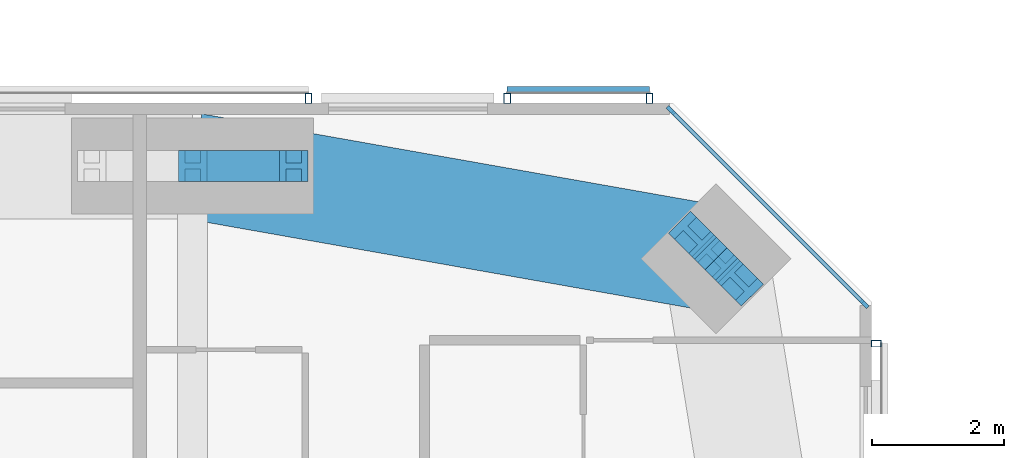
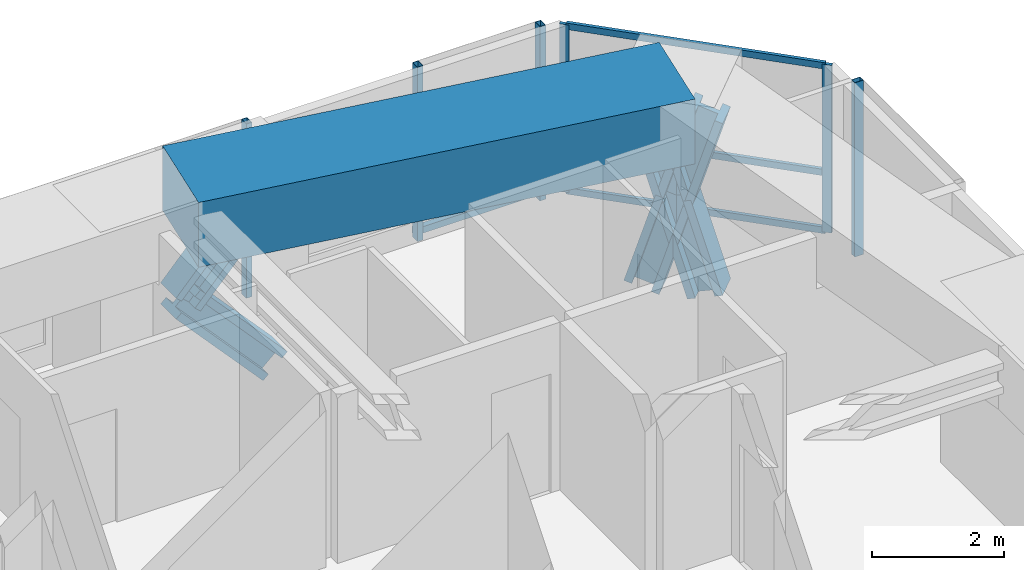
# One storey, part 14 of 23: 16 members, 1 beam, 4 elements without a shape of their own.
"""IFC4 building model written with IfcOpenShell, lengths in metres."""

from ifc_helpers import new_model, si_unit, direction, frame, origin, origin_2d, place, context, subcontext, project, spatial, rectangle, hollow_rectangle, i_section, extrude, material, material_profile, profile_set, type_object, element, aggregate, save


model = new_model("IFC4")

# Units and contexts
model_context = context("Model", 3, precision=1e-05, world=origin(), true_north=direction((0.0, 1.0)))
body_context = subcontext(model_context, "Body", "Model", "MODEL_VIEW")
ifc_project = project(units=[si_unit("LENGTHUNIT", "METRE"), si_unit("AREAUNIT", "SQUARE_METRE"), si_unit("VOLUMEUNIT", "CUBIC_METRE"), si_unit("PLANEANGLEUNIT", "RADIAN"), si_unit("MASSUNIT", "GRAM", prefix="KILO")], contexts=[model_context])

# Site, building, storey
site_placement = place(None, origin())
site = spatial("IfcSite", under=ifc_project, at=site_placement, CompositionType="ELEMENT")
building_placement = place(site_placement, origin())
building = spatial("IfcBuilding", under=site, at=building_placement, Name="Jalousie Tower", CompositionType="ELEMENT")
storey_placement = place(building_placement, frame((0.0, 0.0, 184.5)))
storey = spatial("IfcBuildingStorey", under=building, at=storey_placement, Name="L50", CompositionType="ELEMENT", Elevation=184.5)

# Curtain wall, members
ifc_material_1 = material(Name="Aluminium curtain wall", Category="aluminium")
curtain_wall_type_1 = type_object("IfcCurtainWallType", Name="CORNER WINDOW WALL", PredefinedType="USERDEFINED", material=ifc_material_1)
curtain_wall_1_placement = place(storey_placement, origin())
curtain_wall_1 = element("IfcCurtainWall", 1, at=curtain_wall_1_placement, inside=storey, type_object=curtain_wall_type_1, Name="Corner Window Wall L50 4", ObjectType="CORNER WINDOW WALL", PredefinedType="USERDEFINED")
ifc_material_2 = material(Name="Aluminium mullion", Category="aluminium")
ifc_material_profile_1 = material_profile(ifc_material_2, rectangle(XDim=0.06005859375, YDim=0.14990234375, at=origin_2d()), Name="MULLION 60x150")
ifc_profile_set_1 = profile_set([ifc_material_profile_1], Name="Aluminium mullion")
member_type_1 = type_object("IfcMemberType", Name="CORNER WINDOW WALL MULLION", PredefinedType="MULLION", material=ifc_profile_set_1)
member_1_placement = place(storey_placement, frame((52.891357421875, 32.969970703125, 0.0), z_axis=(0.0, 0.0, 1.0), x_axis=(-0.707106781187, -0.707106781187, 0.0)))
member_1 = element("IfcMember", 2, at=member_1_placement, type_object=member_type_1, Name="CW-C mullion 1", PredefinedType="MULLION", context=body_context, shape_type="SweptSolid", body=[
    extrude(rectangle(XDim=0.06005859375, YDim=0.14990234375, at=origin_2d()), origin(), (0.0, 0.0, 1.0), 3.110107421875),
])
member_2_placement = place(storey_placement, frame((49.969970703125, 35.891357421875, 0.0), z_axis=(0.0, 0.0, 1.0), x_axis=(-0.707106781187, -0.707106781187, 0.0)))
member_2 = element("IfcMember", 3, at=member_2_placement, type_object=member_type_1, Name="CW-C mullion 2", PredefinedType="MULLION", context=body_context, shape_type="SweptSolid", body=[
    extrude(rectangle(XDim=0.06005859375, YDim=0.14990234375, at=origin_2d()), origin(), (0.0, 0.0, 1.0), 3.110107421875),
])
ifc_material_3 = material(Name="Aluminium transom", Category="aluminium")
ifc_material_profile_2 = material_profile(ifc_material_3, rectangle(XDim=0.06005859375, YDim=0.1201171875, at=origin_2d()), Name="TRANSOM 60x120")
ifc_profile_set_2 = profile_set([ifc_material_profile_2], Name="Aluminium transom")
member_type_2 = type_object("IfcMemberType", Name="CORNER WINDOW WALL TRANSOM", PredefinedType="USERDEFINED", material=ifc_profile_set_2)
member_3_placement = place(storey_placement, frame((52.8701171875, 32.9912109375, 0.030029296875), z_axis=(-0.707106781187, 0.707106781187, 0.0), x_axis=(-0.707106781187, -0.707106781187, 0.0)))
member_3 = element("IfcMember", 4, at=member_3_placement, type_object=member_type_2, Name="CW-C transom 1.1", ObjectType="TRANSOM", PredefinedType="USERDEFINED", context=body_context, shape_type="SweptSolid", body=[
    extrude(rectangle(XDim=0.06005859375, YDim=0.1201171875, at=origin_2d()), origin(), (0.0, 0.0, 1.0), 4.0712890625),
])
member_4_placement = place(storey_placement, frame((52.8701171875, 32.9912109375, 1.10009765625), z_axis=(-0.707106781187, 0.707106781187, 0.0), x_axis=(-0.707106781187, -0.707106781187, 0.0)))
member_4 = element("IfcMember", 5, at=member_4_placement, type_object=member_type_2, Name="CW-C transom 1.2", ObjectType="TRANSOM", PredefinedType="USERDEFINED", context=body_context, shape_type="SweptSolid", body=[
    extrude(rectangle(XDim=0.06005859375, YDim=0.1201171875, at=origin_2d()), origin(), (0.0, 0.0, 1.0), 4.0712890625),
])
member_5_placement = place(storey_placement, frame((52.8701171875, 32.9912109375, 3.080078125), z_axis=(-0.707106781187, 0.707106781187, 0.0), x_axis=(-0.707106781187, -0.707106781187, 0.0)))
member_5 = element("IfcMember", 6, at=member_5_placement, type_object=member_type_2, Name="CW-C transom 1.3", ObjectType="TRANSOM", PredefinedType="USERDEFINED", context=body_context, shape_type="SweptSolid", body=[
    extrude(rectangle(XDim=0.06005859375, YDim=0.1201171875, at=origin_2d()), origin(), (0.0, 0.0, 1.0), 4.0712890625),
])
aggregate(curtain_wall_1, [member_1, member_2, member_3, member_4, member_5])

# Members
ifc_material_4 = material(Name="Steel ASTM A992 Grade 50", Category="steel")
ifc_material_profile_3 = material_profile(ifc_material_4, i_section(OverallWidth=0.472412109375, OverallDepth=0.5791015625, WebThickness=0.094970703125, FlangeThickness=0.1298828125, at=origin_2d()), Name="W14X808")
ifc_profile_set_3 = profile_set([ifc_material_profile_3], Name="Steel ASTM A992 Grade 50")
member_type_3 = type_object("IfcMemberType", Name="PERIMETER BRACE W14X808", PredefinedType="BRACE", material=ifc_profile_set_3)
for number, where, z_axis, x_axis, name in (
    (7, (51.0048828125, 33.2978515625, -0.60009765625), (-0.202092742837, 0.202372069365, 0.958229653493), (-0.707594945859, -0.706618279267, 0.0), "Perimeter brace 08 L50 part 1"),
    (8, (50.651611328125, 33.651611328125, 1.074951171875), (-0.202372069365, 0.202092742837, 0.958229653493), (-0.706618279267, -0.707594945859, 0.0), "Perimeter brace 08 L50 part 2"),
    (9, (50.2978515625, 34.0048828125, -0.60009765625), (0.202372069365, -0.202092742837, 0.958229653493), (0.706618279267, 0.707594945859, 0.0), "Perimeter brace 08 L50 part 3"),
    (10, (50.651611328125, 33.651611328125, 1.074951171875), (0.202092742837, -0.202372069365, 0.958229653493), (0.707594945859, 0.706618279267, 0.0), "Perimeter brace 08 L50 part 4"),
):
    element("IfcMember", number, at=place(storey_placement, frame(where, z_axis=z_axis, x_axis=x_axis)), inside=storey, type_object=member_type_3, Name=name, PredefinedType="BRACE", context=body_context, shape_type="SweptSolid", body=[
        extrude(i_section(OverallWidth=0.472412109375, OverallDepth=0.5791015625, WebThickness=0.094970703125, FlangeThickness=0.1298828125, at=origin_2d()), origin(), (0.0, 0.0, 1.0), 1.748046875),
    ])
for number, where, z_axis, x_axis, name in (
    (11, (42.75, 35.050048828125, 1.074951171875), (0.673187629365, 0.0, 0.739471713908), (0.0, 1.0, 0.0), "Perimeter brace 09 L50 part 2"),
    (12, (44.27490234375, 35.050048828125, -0.60009765625), (-0.673187629365, 0.0, 0.739471713908), (0.0, -1.0, 0.0), "Perimeter brace 09 L50 part 3"),
):
    element("IfcMember", number, at=place(storey_placement, frame(where, z_axis=z_axis, x_axis=x_axis)), inside=storey, type_object=member_type_3, Name=name, PredefinedType="BRACE", context=body_context, shape_type="SweptSolid", body=[
        extrude(i_section(OverallWidth=0.472412109375, OverallDepth=0.5791015625, WebThickness=0.094970703125, FlangeThickness=0.1298828125, at=origin_2d()), origin(), (0.0, 0.0, 1.0), 2.26513671875),
    ])

# Beam
ifc_material_5 = material(Name="Concrete f'c 40 MPa", Category="concrete")
ifc_material_profile_4 = material_profile(ifc_material_5, rectangle(XDim=1.60009765625, YDim=1.199951171875, at=origin_2d()), Name="RC 1600x1200")
ifc_profile_set_4 = profile_set([ifc_material_profile_4], Name="Concrete f'c 40 MPa")
beam_type = type_object("IfcBeamType", Name="RC BEAM 1600x1200", PredefinedType="BEAM", material=ifc_profile_set_4)
beam_placement = place(storey_placement, frame((50.651611328125, 33.651611328125, 2.75), z_axis=(-0.984697370688, 0.174273027632, 0.0), x_axis=(-0.174273027632, -0.984697370688, 0.0)))
element("IfcBeam", 13, at=beam_placement, inside=storey, type_object=beam_type, Name="Edge band beam 08-09 under L51", PredefinedType="BEAM", context=body_context, shape_type="SweptSolid", body=[
    extrude(rectangle(XDim=1.60009765625, YDim=1.199951171875, at=origin_2d()), origin(), (0.0, 0.0, 1.0), 8.0244140625),
])

# Curtain wall, member
ifc_material_6 = material(Name="Perforated aluminium sheet", Category="aluminium")
curtain_wall_type_2 = type_object("IfcCurtainWallType", Name="SOLAR SCREEN SS-1", PredefinedType="USERDEFINED", material=ifc_material_6)
curtain_wall_2_placement = place(storey_placement, origin())
curtain_wall_2 = element("IfcCurtainWall", 14, at=curtain_wall_2_placement, inside=storey, type_object=curtain_wall_type_2, Name="Solar screen L50", ObjectType="SOLAR SCREEN SS-1", PredefinedType="USERDEFINED")
ifc_material_7 = material(Name="Steel ASTM A500 Grade C", Category="steel")
ifc_material_profile_5 = material_profile(ifc_material_7, hollow_rectangle(XDim=0.1015625, YDim=0.15234375, WallThickness=0.00634765625, at=origin_2d()), Name="HSS6X4X1/4")
ifc_profile_set_5 = profile_set([ifc_material_profile_5], Name="Steel ASTM A500 Grade C")
member_type_4 = type_object("IfcMemberType", Name="SOLAR SCREEN SS-1 MULLION", PredefinedType="MULLION", material=ifc_profile_set_5)
member_6_placement = place(storey_placement, frame((53.0712890625, 32.3701171875, -0.1201171875), z_axis=(0.0, 0.0, 1.0), x_axis=(0.0, 1.0, 0.0)))
member_6 = element("IfcMember", 15, at=member_6_placement, type_object=member_type_4, Name="SS1 post 2", PredefinedType="MULLION", context=body_context, shape_type="SweptSolid", body=[
    extrude(hollow_rectangle(XDim=0.1015625, YDim=0.15234375, WallThickness=0.00634765625, at=origin_2d()), origin(), (0.0, 0.0, 1.0), 3.230224609375),
])
aggregate(curtain_wall_2, [member_6])

# Curtain wall, members
curtain_wall_3_placement = place(storey_placement, origin())
curtain_wall_3 = element("IfcCurtainWall", 16, at=curtain_wall_3_placement, inside=storey, type_object=curtain_wall_type_2, Name="Solar screen L50", ObjectType="SOLAR SCREEN SS-1", PredefinedType="USERDEFINED")
member_7_placement = place(storey_placement, frame((49.648681640625, 36.0712890625, -0.1201171875), z_axis=(0.0, 0.0, 1.0), x_axis=(-1.0, 0.0, 0.0)))
member_7 = element("IfcMember", 17, at=member_7_placement, type_object=member_type_4, Name="SS1 post 1", PredefinedType="MULLION", context=body_context, shape_type="SweptSolid", body=[
    extrude(hollow_rectangle(XDim=0.1015625, YDim=0.15234375, WallThickness=0.00634765625, at=origin_2d()), origin(), (0.0, 0.0, 1.0), 3.230224609375),
])
member_8_placement = place(storey_placement, frame((47.499267578125, 36.0712890625, -0.1201171875), z_axis=(0.0, 0.0, 1.0), x_axis=(-1.0, 0.0, 0.0)))
member_8 = element("IfcMember", 18, at=member_8_placement, type_object=member_type_4, Name="SS1 post 2", PredefinedType="MULLION", context=body_context, shape_type="SweptSolid", body=[
    extrude(hollow_rectangle(XDim=0.1015625, YDim=0.15234375, WallThickness=0.00634765625, at=origin_2d()), origin(), (0.0, 0.0, 1.0), 3.230224609375),
])

# Curtain wall, member
curtain_wall_4_placement = place(storey_placement, origin())
curtain_wall_4 = element("IfcCurtainWall", 19, at=curtain_wall_4_placement, inside=storey, type_object=curtain_wall_type_2, Name="Solar screen L50", ObjectType="SOLAR SCREEN SS-1", PredefinedType="USERDEFINED")
member_9_placement = place(storey_placement, frame((44.499267578125, 36.0712890625, -0.1201171875), z_axis=(0.0, 0.0, 1.0), x_axis=(-1.0, 0.0, 0.0)))
member_9 = element("IfcMember", 20, at=member_9_placement, type_object=member_type_4, Name="SS1 post 1", PredefinedType="MULLION", context=body_context, shape_type="SweptSolid", body=[
    extrude(hollow_rectangle(XDim=0.1015625, YDim=0.15234375, WallThickness=0.00634765625, at=origin_2d()), origin(), (0.0, 0.0, 1.0), 3.230224609375),
])
aggregate(curtain_wall_4, [member_9])

# Member
ifc_material_8 = material(Name="Extruded aluminium screen rail", Category="aluminium")
ifc_material_profile_6 = material_profile(ifc_material_8, rectangle(XDim=0.1015625, YDim=0.1201171875, at=origin_2d()), Name="RAIL 102x120")
ifc_profile_set_6 = profile_set([ifc_material_profile_6], Name="Extruded aluminium screen rail")
member_type_5 = type_object("IfcMemberType", Name="SOLAR SCREEN SS-1 TRANSOM", PredefinedType="USERDEFINED", material=ifc_profile_set_6)
member_10_placement = place(storey_placement, frame((49.648681640625, 36.1982421875, -0.06005859375), z_axis=(-1.0, 0.0, 0.0), x_axis=(0.0, -1.0, 0.0)))
member_10 = element("IfcMember", 21, at=member_10_placement, type_object=member_type_5, Name="SS1 rail", ObjectType="TRANSOM", PredefinedType="USERDEFINED", context=body_context, shape_type="SweptSolid", body=[
    extrude(rectangle(XDim=0.1015625, YDim=0.1201171875, at=origin_2d()), origin(), (0.0, 0.0, 1.0), 2.1494140625),
])

aggregate(curtain_wall_3, [member_7, member_8, member_10])

save(model, "model.ifc")
